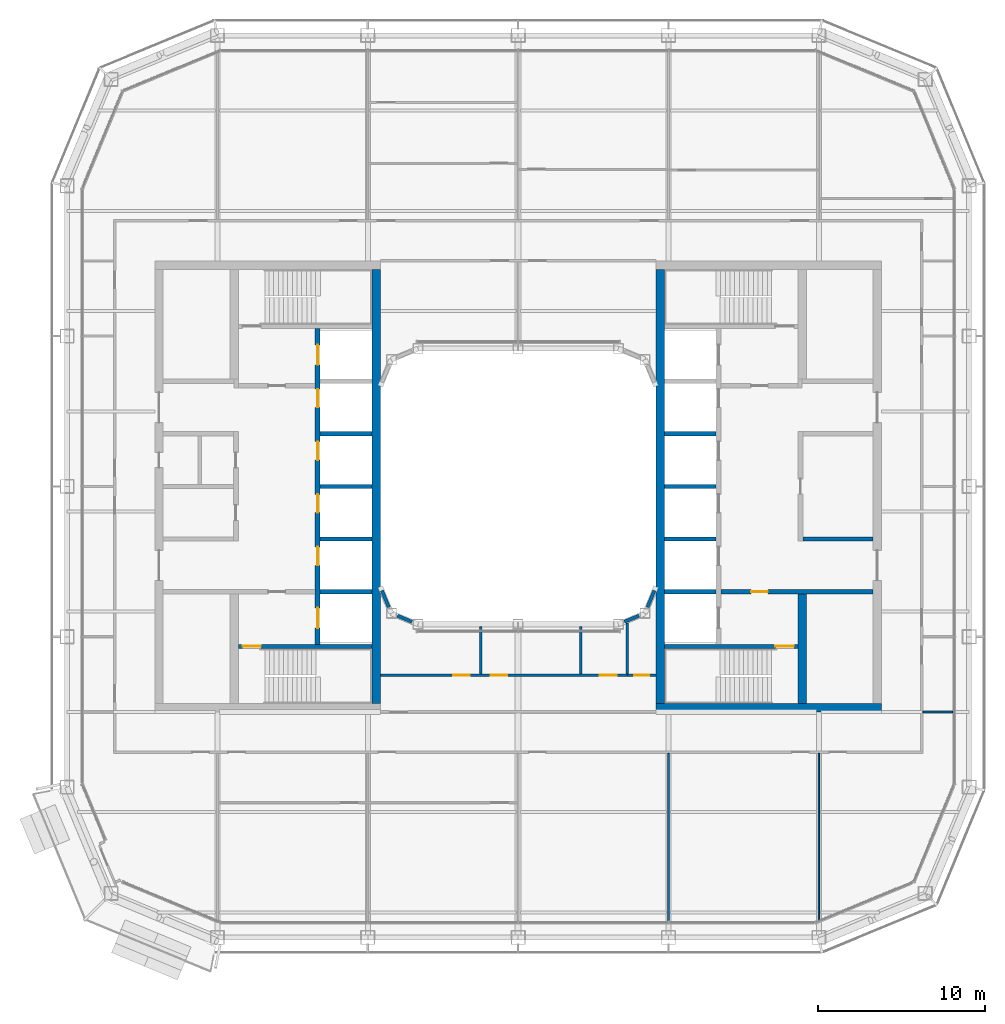
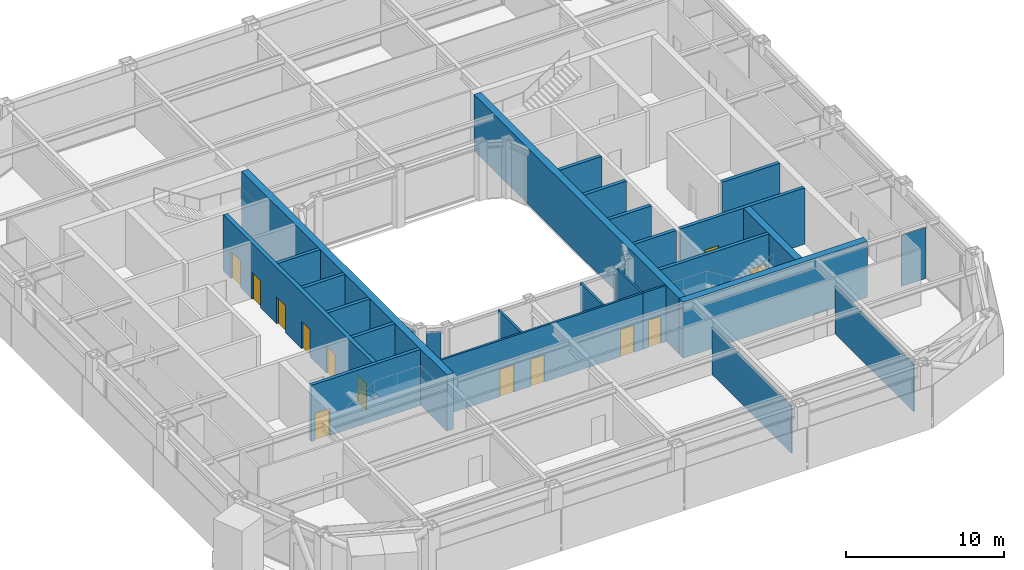
# One storey, part 14 of 24: 29 walls, 13 doors, 13 openings.
"""IFC4 building model written with IfcOpenShell, lengths in metres."""

from ifc_helpers import new_model, si_unit, direction, frame, frame_2d, origin, place, context, subcontext, project, spatial, rectangle, extrude, material, layer, layer_set, type_object, element, fill, save


model = new_model("IFC4")

# Units and contexts
model_context = context("Model", 3, precision=1e-05, world=origin(), true_north=direction((0.0, 1.0)))
body_context = subcontext(model_context, "Body", "Model", "MODEL_VIEW")
ifc_project = project(units=[si_unit("LENGTHUNIT", "METRE"), si_unit("AREAUNIT", "SQUARE_METRE"), si_unit("VOLUMEUNIT", "CUBIC_METRE"), si_unit("PLANEANGLEUNIT", "RADIAN"), si_unit("MASSUNIT", "GRAM", prefix="KILO")], contexts=[model_context])

# Site, building, storey
site_placement = place(None, origin())
site = spatial("IfcSite", under=ifc_project, at=site_placement, CompositionType="ELEMENT")
building_placement = place(site_placement, origin())
building = spatial("IfcBuilding", under=site, at=building_placement, Name="Siwar Civic Tower", CompositionType="ELEMENT")
storey_placement = place(building_placement, frame((0.0, 0.0, 215.199951171875)))
storey = spatial("IfcBuildingStorey", under=building, at=storey_placement, Name="L46", CompositionType="ELEMENT", Elevation=215.199951171875)

# Wall, opening, door
ifc_material_1 = material(Name="Gypsum board on steel studs", Category="steel")
ifc_layer_1 = layer(ifc_material_1, 0.14990234375)
ifc_layer_set_1 = layer_set([ifc_layer_1], Name="Gypsum board on steel studs")
wall_type_1 = type_object("IfcWallType", Name="COMPARTMENT PARTITION 150 EI 60", PredefinedType="PARTITIONING", material=ifc_layer_set_1)
wall_1_placement = place(storey_placement, frame((6.5400390625, -11.300048828125, 0.0), z_axis=(0.0, 0.0, 1.0), x_axis=(1.0, 0.0, 0.0)))
wall_1 = element("IfcWall", 1, at=wall_1_placement, inside=storey, type_object=wall_type_1, Name="L46/wall/P07", PredefinedType="PARTITIONING", context=body_context, shape_type="SweptSolid", body=[
    extrude(rectangle(XDim=1.7099609375, YDim=0.14990234375, at=frame_2d((0.85498046875, 0.0))), origin(), (0.0, 0.0, 1.0), 4.35009765625),
])
opening_1_placement = place(wall_1_placement, frame((0.409912109375, 0.0, 0.0)))
opening_1 = element("IfcOpeningElement", 2, at=opening_1_placement, cuts=wall_1, Name="Opening D4", PredefinedType="OPENING", context=body_context, shape_type="SweptSolid", body=[
    extrude(rectangle(XDim=0.89990234375, YDim=2.10009765625, at=frame_2d((0.449951171875, 1.050048828125))), frame((0.0, 0.0849609375, 0.0), z_axis=(0.0, -1.0, 0.0), x_axis=(1.0, 0.0, 0.0)), (0.0, 0.0, 1.0), 0.169921875),
])
ifc_material_2 = material(Name="Timber, painted", Category="wood")
door_type_1 = type_object("IfcDoorType", Name="DOOR 900 X 2100 FD60", OperationType="SINGLE_SWING_LEFT", PredefinedType="DOOR", material=ifc_material_2)
door_1_placement = place(opening_1_placement, origin())
door_1 = element("IfcDoor", 3, at=door_1_placement, inside=storey, type_object=door_type_1, Name="L46-D34", OperationType="SINGLE_SWING_RIGHT", OverallHeight=2.10009765625, OverallWidth=0.89990234375, PredefinedType="DOOR", context=body_context, shape_type="SweptSolid", body=[
    extrude(rectangle(XDim=0.89990234375, YDim=2.10009765625, at=frame_2d((0.449951171875, 1.050048828125))), frame((0.0, 0.02490234375, 0.0), z_axis=(0.0, -1.0, 0.0), x_axis=(1.0, 0.0, 0.0)), (0.0, 0.0, 1.0), 0.050048828125),
])
fill(opening_1, door_1)

# Walls
wall_2_placement = place(storey_placement, frame((6.5400390625, -11.22509765625, 0.0), z_axis=(0.0, 0.0, 1.0), x_axis=(0.0, 1.0, 0.0)))
element("IfcWall", 4, at=wall_2_placement, inside=storey, type_object=wall_type_1, Name="L46/wall/P34", PredefinedType="PARTITIONING", context=body_context, shape_type="SweptSolid", body=[
    extrude(rectangle(XDim=3.0390625, YDim=0.14990234375, at=frame_2d((1.51953125, 0.0))), origin(), (0.0, 0.0, 1.0), 4.35009765625),
])
ifc_material_3 = material(Name="Concrete C60/75", Category="concrete")
ifc_layer_2 = layer(ifc_material_3, 0.25)
ifc_layer_set_2 = layer_set([ifc_layer_2], Name="Concrete C60/75")
wall_type_2 = type_object("IfcWallType", Name="CORE-WALL-RC250", PredefinedType="SHEAR", material=ifc_layer_set_2)
for number, where, z_axis, x_axis, name in (
    (5, (-8.75, 0.0, 0.0), (0.0, 0.0, 1.0), (-1.0, 0.0, 0.0), "Core wall W"),
    (6, (-8.75, 3.14990234375, 0.0), (0.0, 0.0, 1.0), (-1.0, 0.0, 0.0), "Core wall W"),
    (7, (-8.75, -3.14990234375, 0.0), (0.0, 0.0, 1.0), (-1.0, 0.0, 0.0), "Core wall W"),
    (8, (-8.75, -6.300048828125, 0.0), (0.0, 0.0, 1.0), (-1.0, 0.0, 0.0), "Core wall W"),
):
    element("IfcWall", number, at=place(storey_placement, frame(where, z_axis=z_axis, x_axis=x_axis)), inside=storey, type_object=wall_type_2, Name=name, PredefinedType="SHEAR", context=body_context, shape_type="SweptSolid", body=[
        extrude(rectangle(XDim=3.10009765625, YDim=0.25, at=frame_2d((1.550048828125, 0.0))), origin(), (0.0, 0.0, 1.0), 4.35009765625),
    ])

# Wall, opening, door
wall_3_placement = place(storey_placement, frame((-8.75, -9.574951171875, 0.0), z_axis=(0.0, 0.0, 1.0), x_axis=(-1.0, 0.0, 0.0)))
wall_3 = element("IfcWall", 9, at=wall_3_placement, inside=storey, type_object=wall_type_2, Name="Core wall W", PredefinedType="SHEAR", context=body_context, shape_type="SweptSolid", body=[
    extrude(rectangle(XDim=8.0, YDim=0.25, at=frame_2d((4.0, 0.0))), origin(), (0.0, 0.0, 1.0), 4.35009765625),
])
opening_2_placement = place(wall_3_placement, frame((6.64990234375, 0.0, 0.0)))
opening_2 = element("IfcOpeningElement", 10, at=opening_2_placement, cuts=wall_3, Name="Opening L46-CW04", PredefinedType="OPENING", context=body_context, shape_type="SweptSolid", body=[
    extrude(rectangle(XDim=1.10009765625, YDim=2.10009765625, at=frame_2d((0.550048828125, 1.050048828125))), frame((0.0, 0.135009765625, 0.0), z_axis=(0.0, -1.0, 0.0), x_axis=(1.0, 0.0, 0.0)), (0.0, 0.0, 1.0), 0.27001953125),
])
ifc_material_4 = material(Name="Steel door leaf", Category="steel")
door_type_2 = type_object("IfcDoorType", Name="CORE-DOOR-FD60S", OperationType="SINGLE_SWING_LEFT", PredefinedType="DOOR", material=ifc_material_4)
door_2_placement = place(opening_2_placement, origin())
door_2 = element("IfcDoor", 11, at=door_2_placement, inside=storey, type_object=door_type_2, Name="Stair door L46-CW04", OperationType="SINGLE_SWING_LEFT", OverallHeight=2.10009765625, OverallWidth=1.10009765625, PredefinedType="DOOR", context=body_context, shape_type="SweptSolid", body=[
    extrude(rectangle(XDim=1.10009765625, YDim=2.10009765625, at=frame_2d((0.550048828125, 1.050048828125))), frame((0.0, 0.02490234375, 0.0), z_axis=(0.0, -1.0, 0.0), x_axis=(1.0, 0.0, 0.0)), (0.0, 0.0, 1.0), 0.050048828125),
])
fill(opening_2, door_2)

wall_4_placement = place(storey_placement, frame((12.14990234375, -6.300048828125, 0.0), z_axis=(0.0, 0.0, 1.0), x_axis=(1.0, 0.0, 0.0)))
wall_4 = element("IfcWall", 12, at=wall_4_placement, inside=storey, type_object=wall_type_2, Name="Core wall E", PredefinedType="SHEAR", context=body_context, shape_type="SweptSolid", body=[
    extrude(rectangle(XDim=9.10009765625, YDim=0.25, at=frame_2d((4.550048828125, 0.0))), origin(), (0.0, 0.0, 1.0), 4.35009765625),
])
opening_3_placement = place(wall_4_placement, frame((1.800048828125, 0.0, 0.0)))
opening_3 = element("IfcOpeningElement", 13, at=opening_3_placement, cuts=wall_4, Name="Opening L46-CE02", PredefinedType="OPENING", context=body_context, shape_type="SweptSolid", body=[
    extrude(rectangle(XDim=1.0, YDim=2.10009765625, at=frame_2d((0.5, 1.050048828125))), frame((0.0, 0.135009765625, 0.0), z_axis=(0.0, -1.0, 0.0), x_axis=(1.0, 0.0, 0.0)), (0.0, 0.0, 1.0), 0.27001953125),
])
ifc_material_5 = material(Name="Steel door leaf", Category="steel")
door_type_3 = type_object("IfcDoorType", Name="CORE-DOOR-FD30S", OperationType="SINGLE_SWING_LEFT", PredefinedType="DOOR", material=ifc_material_5)
door_3_placement = place(opening_3_placement, origin())
door_3 = element("IfcDoor", 14, at=door_3_placement, inside=storey, type_object=door_type_3, Name="Service lobby door L46-CE02", OperationType="SINGLE_SWING_LEFT", OverallHeight=2.10009765625, OverallWidth=1.0, PredefinedType="DOOR", context=body_context, shape_type="SweptSolid", body=[
    extrude(rectangle(XDim=1.0, YDim=2.10009765625, at=frame_2d((0.5, 1.050048828125))), frame((0.0, 0.02490234375, 0.0), z_axis=(0.0, -1.0, 0.0), x_axis=(1.0, 0.0, 0.0)), (0.0, 0.0, 1.0), 0.050048828125),
])
fill(opening_3, door_3)

# Walls
wall_5_placement = place(storey_placement, frame((17.050048828125, -3.14990234375, 0.0), z_axis=(0.0, 0.0, 1.0), x_axis=(1.0, 0.0, 0.0)))
element("IfcWall", 15, at=wall_5_placement, inside=storey, type_object=wall_type_2, Name="Core wall E", PredefinedType="SHEAR", context=body_context, shape_type="SweptSolid", body=[
    extrude(rectangle(XDim=4.199951171875, YDim=0.25, at=frame_2d((2.10009765625, 0.0))), origin(), (0.0, 0.0, 1.0), 4.35009765625),
])
for number, where, z_axis, x_axis, name in (
    (16, (8.75, 0.0, 0.0), (0.0, 0.0, 1.0), (1.0, 0.0, 0.0), "Core wall E"),
    (17, (8.75, 3.14990234375, 0.0), (0.0, 0.0, 1.0), (1.0, 0.0, 0.0), "Core wall E"),
    (18, (8.75, -3.14990234375, 0.0), (0.0, 0.0, 1.0), (1.0, 0.0, 0.0), "Core wall E"),
    (19, (8.75, -6.300048828125, 0.0), (0.0, 0.0, 1.0), (1.0, 0.0, 0.0), "Core wall E"),
):
    element("IfcWall", number, at=place(storey_placement, frame(where, z_axis=z_axis, x_axis=x_axis)), inside=storey, type_object=wall_type_2, Name=name, PredefinedType="SHEAR", context=body_context, shape_type="SweptSolid", body=[
        extrude(rectangle(XDim=3.10009765625, YDim=0.25, at=frame_2d((1.550048828125, 0.0))), origin(), (0.0, 0.0, 1.0), 4.35009765625),
    ])

# Wall, opening, door
wall_6_placement = place(storey_placement, frame((8.75, -9.574951171875, 0.0), z_axis=(0.0, 0.0, 1.0), x_axis=(1.0, 0.0, 0.0)))
wall_6 = element("IfcWall", 20, at=wall_6_placement, inside=storey, type_object=wall_type_2, Name="Core wall E", PredefinedType="SHEAR", context=body_context, shape_type="SweptSolid", body=[
    extrude(rectangle(XDim=8.0, YDim=0.25, at=frame_2d((4.0, 0.0))), origin(), (0.0, 0.0, 1.0), 4.35009765625),
])
opening_4_placement = place(wall_6_placement, frame((6.64990234375, 0.0, 0.0)))
opening_4 = element("IfcOpeningElement", 21, at=opening_4_placement, cuts=wall_6, Name="Opening L46-CE04", PredefinedType="OPENING", context=body_context, shape_type="SweptSolid", body=[
    extrude(rectangle(XDim=1.10009765625, YDim=2.10009765625, at=frame_2d((0.550048828125, 1.050048828125))), frame((0.0, 0.135009765625, 0.0), z_axis=(0.0, -1.0, 0.0), x_axis=(1.0, 0.0, 0.0)), (0.0, 0.0, 1.0), 0.27001953125),
])
door_4_placement = place(opening_4_placement, origin())
door_4 = element("IfcDoor", 22, at=door_4_placement, inside=storey, type_object=door_type_2, Name="Stair door L46-CE04", OperationType="SINGLE_SWING_RIGHT", OverallHeight=2.10009765625, OverallWidth=1.10009765625, PredefinedType="DOOR", context=body_context, shape_type="SweptSolid", body=[
    extrude(rectangle(XDim=1.10009765625, YDim=2.10009765625, at=frame_2d((0.550048828125, 1.050048828125))), frame((0.0, 0.02490234375, 0.0), z_axis=(0.0, -1.0, 0.0), x_axis=(1.0, 0.0, 0.0)), (0.0, 0.0, 1.0), 0.050048828125),
])
fill(opening_4, door_4)

# Wall, openings, doors
ifc_material_6 = material(Name="Concrete C60/75", Category="concrete")
ifc_layer_3 = layer(ifc_material_6, 0.300048828125)
ifc_layer_set_3 = layer_set([ifc_layer_3], Name="Concrete C60/75")
wall_type_3 = type_object("IfcWallType", Name="CORE-WALL-RC300", PredefinedType="SHEAR", material=ifc_layer_set_3)
wall_7_placement = place(storey_placement, frame((-12.0, -9.449951171875, 0.0), z_axis=(0.0, 0.0, 1.0), x_axis=(0.0, 1.0, 0.0)))
wall_7 = element("IfcWall", 23, at=wall_7_placement, inside=storey, type_object=wall_type_3, Name="Core wall W", PredefinedType="SHEAR", context=body_context, shape_type="SweptSolid", body=[
    extrude(rectangle(XDim=18.89990234375, YDim=0.300048828125, at=frame_2d((9.449951171875, 0.0))), origin(), (0.0, 0.0, 1.0), 4.35009765625),
])
opening_5_placement = place(wall_7_placement, frame((4.72509765625, 0.0, 0.0)))
opening_5 = element("IfcOpeningElement", 24, at=opening_5_placement, cuts=wall_7, Name="Opening L46-CW07", PredefinedType="OPENING", context=body_context, shape_type="SweptSolid", body=[
    extrude(rectangle(XDim=1.10009765625, YDim=2.10009765625, at=frame_2d((0.550048828125, 1.050048828125))), frame((0.0, 0.16015625, 0.0), z_axis=(0.0, -1.0, 0.0), x_axis=(1.0, 0.0, 0.0)), (0.0, 0.0, 1.0), 0.320068359375),
])
opening_6_placement = place(wall_7_placement, frame((7.875, 0.0, 0.0)))
opening_6 = element("IfcOpeningElement", 25, at=opening_6_placement, cuts=wall_7, Name="Opening L46-CW08", PredefinedType="OPENING", context=body_context, shape_type="SweptSolid", body=[
    extrude(rectangle(XDim=1.10009765625, YDim=2.10009765625, at=frame_2d((0.550048828125, 1.050048828125))), frame((0.0, 0.16015625, 0.0), z_axis=(0.0, -1.0, 0.0), x_axis=(1.0, 0.0, 0.0)), (0.0, 0.0, 1.0), 0.320068359375),
])
opening_7_placement = place(wall_7_placement, frame((11.02490234375, 0.0, 0.0)))
opening_7 = element("IfcOpeningElement", 26, at=opening_7_placement, cuts=wall_7, Name="Opening L46-CW09", PredefinedType="OPENING", context=body_context, shape_type="SweptSolid", body=[
    extrude(rectangle(XDim=1.10009765625, YDim=2.10009765625, at=frame_2d((0.550048828125, 1.050048828125))), frame((0.0, 0.16015625, 0.0), z_axis=(0.0, -1.0, 0.0), x_axis=(1.0, 0.0, 0.0)), (0.0, 0.0, 1.0), 0.320068359375),
])
opening_8_placement = place(wall_7_placement, frame((14.175048828125, 0.0, 0.0)))
opening_8 = element("IfcOpeningElement", 27, at=opening_8_placement, cuts=wall_7, Name="Opening L46-CW10", PredefinedType="OPENING", context=body_context, shape_type="SweptSolid", body=[
    extrude(rectangle(XDim=1.10009765625, YDim=2.10009765625, at=frame_2d((0.550048828125, 1.050048828125))), frame((0.0, 0.16015625, 0.0), z_axis=(0.0, -1.0, 0.0), x_axis=(1.0, 0.0, 0.0)), (0.0, 0.0, 1.0), 0.320068359375),
])
opening_9_placement = place(wall_7_placement, frame((16.72509765625, 0.0, 0.0)))
opening_9 = element("IfcOpeningElement", 28, at=opening_9_placement, cuts=wall_7, Name="Opening L46-CW11", PredefinedType="OPENING", context=body_context, shape_type="SweptSolid", body=[
    extrude(rectangle(XDim=1.199951171875, YDim=2.10009765625, at=frame_2d((0.60009765625, 1.050048828125))), frame((0.0, 0.16015625, 0.0), z_axis=(0.0, -1.0, 0.0), x_axis=(1.0, 0.0, 0.0)), (0.0, 0.0, 1.0), 0.320068359375),
])
opening_10_placement = place(wall_7_placement, frame((0.97509765625, 0.0, 0.0)))
opening_10 = element("IfcOpeningElement", 29, at=opening_10_placement, cuts=wall_7, Name="Opening L46-CW12", PredefinedType="OPENING", context=body_context, shape_type="SweptSolid", body=[
    extrude(rectangle(XDim=1.199951171875, YDim=2.10009765625, at=frame_2d((0.60009765625, 1.050048828125))), frame((0.0, 0.16015625, 0.0), z_axis=(0.0, -1.0, 0.0), x_axis=(1.0, 0.0, 0.0)), (0.0, 0.0, 1.0), 0.320068359375),
])
ifc_material_7 = material(Name="Steel door leaf", Category="steel")
door_type_4 = type_object("IfcDoorType", Name="CORE-DOOR-LD", OperationType="DOUBLE_DOOR_SLIDING", PredefinedType="DOOR", material=ifc_material_7)
door_5_placement = place(opening_5_placement, origin())
door_5 = element("IfcDoor", 30, at=door_5_placement, inside=storey, type_object=door_type_4, Name="Landing door HR1 L46-CW07", OperationType="DOUBLE_DOOR_SLIDING", OverallHeight=2.10009765625, OverallWidth=1.10009765625, PredefinedType="DOOR", context=body_context, shape_type="SweptSolid", body=[
    extrude(rectangle(XDim=1.10009765625, YDim=2.10009765625, at=frame_2d((0.550048828125, 1.050048828125))), frame((0.0, 0.02490234375, 0.0), z_axis=(0.0, -1.0, 0.0), x_axis=(1.0, 0.0, 0.0)), (0.0, 0.0, 1.0), 0.050048828125),
])
fill(opening_5, door_5)
door_6_placement = place(opening_6_placement, origin())
door_6 = element("IfcDoor", 31, at=door_6_placement, inside=storey, type_object=door_type_4, Name="Landing door HR2 L46-CW08", OperationType="DOUBLE_DOOR_SLIDING", OverallHeight=2.10009765625, OverallWidth=1.10009765625, PredefinedType="DOOR", context=body_context, shape_type="SweptSolid", body=[
    extrude(rectangle(XDim=1.10009765625, YDim=2.10009765625, at=frame_2d((0.550048828125, 1.050048828125))), frame((0.0, 0.02490234375, 0.0), z_axis=(0.0, -1.0, 0.0), x_axis=(1.0, 0.0, 0.0)), (0.0, 0.0, 1.0), 0.050048828125),
])
fill(opening_6, door_6)
door_7_placement = place(opening_7_placement, origin())
door_7 = element("IfcDoor", 32, at=door_7_placement, inside=storey, type_object=door_type_4, Name="Landing door HR3 L46-CW09", OperationType="DOUBLE_DOOR_SLIDING", OverallHeight=2.10009765625, OverallWidth=1.10009765625, PredefinedType="DOOR", context=body_context, shape_type="SweptSolid", body=[
    extrude(rectangle(XDim=1.10009765625, YDim=2.10009765625, at=frame_2d((0.550048828125, 1.050048828125))), frame((0.0, 0.02490234375, 0.0), z_axis=(0.0, -1.0, 0.0), x_axis=(1.0, 0.0, 0.0)), (0.0, 0.0, 1.0), 0.050048828125),
])
fill(opening_7, door_7)
door_8_placement = place(opening_8_placement, origin())
door_8 = element("IfcDoor", 33, at=door_8_placement, inside=storey, type_object=door_type_4, Name="Landing door HR4 L46-CW10", OperationType="DOUBLE_DOOR_SLIDING", OverallHeight=2.10009765625, OverallWidth=1.10009765625, PredefinedType="DOOR", context=body_context, shape_type="SweptSolid", body=[
    extrude(rectangle(XDim=1.10009765625, YDim=2.10009765625, at=frame_2d((0.550048828125, 1.050048828125))), frame((0.0, 0.02490234375, 0.0), z_axis=(0.0, -1.0, 0.0), x_axis=(1.0, 0.0, 0.0)), (0.0, 0.0, 1.0), 0.050048828125),
])
fill(opening_8, door_8)
ifc_material_8 = material(Name="Steel door leaf", Category="steel")
door_type_5 = type_object("IfcDoorType", Name="CORE-DOOR-LDW", OperationType="DOUBLE_DOOR_SLIDING", PredefinedType="DOOR", material=ifc_material_8)
door_9_placement = place(opening_9_placement, origin())
door_9 = element("IfcDoor", 34, at=door_9_placement, inside=storey, type_object=door_type_5, Name="Landing door FF1 L46-CW11", OperationType="DOUBLE_DOOR_SLIDING", OverallHeight=2.10009765625, OverallWidth=1.199951171875, PredefinedType="DOOR", context=body_context, shape_type="SweptSolid", body=[
    extrude(rectangle(XDim=1.199951171875, YDim=2.10009765625, at=frame_2d((0.60009765625, 1.050048828125))), frame((0.0, 0.02490234375, 0.0), z_axis=(0.0, -1.0, 0.0), x_axis=(1.0, 0.0, 0.0)), (0.0, 0.0, 1.0), 0.050048828125),
])
fill(opening_9, door_9)
door_10_placement = place(opening_10_placement, origin())
door_10 = element("IfcDoor", 35, at=door_10_placement, inside=storey, type_object=door_type_5, Name="Landing door SV1 L46-CW12", OperationType="DOUBLE_DOOR_SLIDING", OverallHeight=2.10009765625, OverallWidth=1.199951171875, PredefinedType="DOOR", context=body_context, shape_type="SweptSolid", body=[
    extrude(rectangle(XDim=1.199951171875, YDim=2.10009765625, at=frame_2d((0.60009765625, 1.050048828125))), frame((0.0, 0.02490234375, 0.0), z_axis=(0.0, -1.0, 0.0), x_axis=(1.0, 0.0, 0.0)), (0.0, 0.0, 1.0), 0.050048828125),
])
fill(opening_10, door_10)

# Walls
ifc_material_9 = material(Name="Concrete C60/75", Category="concrete")
ifc_layer_4 = layer(ifc_material_9, 0.5)
ifc_layer_set_4 = layer_set([ifc_layer_4], Name="Concrete C60/75")
wall_type_4 = type_object("IfcWallType", Name="CORE-WALL-RC500", PredefinedType="SHEAR", material=ifc_layer_set_4)
wall_8_placement = place(storey_placement, frame((17.0, -13.0, 0.0), z_axis=(0.0, 0.0, 1.0), x_axis=(0.0, 1.0, 0.0)))
element("IfcWall", 36, at=wall_8_placement, inside=storey, type_object=wall_type_4, Name="Core wall E", PredefinedType="SHEAR", context=body_context, shape_type="SweptSolid", body=[
    extrude(rectangle(XDim=6.574951171875, YDim=0.5, at=frame_2d((3.28759765625, 0.0))), origin(), (0.0, 0.0, 1.0), 4.35009765625),
])
wall_9_placement = place(storey_placement, frame((8.25, -13.25, 0.0), z_axis=(0.0, 0.0, 1.0), x_axis=(1.0, 0.0, 0.0)))
element("IfcWall", 37, at=wall_9_placement, inside=storey, type_object=wall_type_4, Name="Core wall E", PredefinedType="SHEAR", context=body_context, shape_type="SweptSolid", body=[
    extrude(rectangle(XDim=13.5, YDim=0.5, at=frame_2d((6.75, 0.0))), origin(), (0.0, 0.0, 1.0), 4.35009765625),
])
ifc_material_10 = material(Name="Concrete C60/75", Category="concrete")
ifc_layer_5 = layer(ifc_material_10, 0.5)
ifc_layer_set_5 = layer_set([ifc_layer_5], Name="Concrete C60/75")
wall_type_5 = type_object("IfcWallType", Name="CORE-WALL-RC500-EXT", PredefinedType="SHEAR", material=ifc_layer_set_5)
for number, where, z_axis, x_axis, name in (
    (38, (-8.5, -13.0, 0.0), (0.0, 0.0, 1.0), (0.0, 1.0, 0.0), "Core wall W"),
    (39, (8.5, -13.0, 0.0), (0.0, 0.0, 1.0), (0.0, 1.0, 0.0), "Core wall E"),
):
    element("IfcWall", number, at=place(storey_placement, frame(where, z_axis=z_axis, x_axis=x_axis)), inside=storey, type_object=wall_type_5, Name=name, PredefinedType="SHEAR", context=body_context, shape_type="SweptSolid", body=[
        extrude(rectangle(XDim=26.0, YDim=0.5, at=frame_2d((13.0, 0.0))), origin(), (0.0, 0.0, 1.0), 4.35009765625),
    ])

# Wall, openings, doors
ifc_material_11 = material(Name="Gypsum board on steel studs", Category="steel")
ifc_layer_6 = layer(ifc_material_11, 0.14990234375)
ifc_layer_set_6 = layer_set([ifc_layer_6], Name="Gypsum board on steel studs")
wall_type_6 = type_object("IfcWallType", Name="CORRIDOR PARTITION 150 EI 30", PredefinedType="PARTITIONING", material=ifc_layer_set_6)
wall_10_placement = place(storey_placement, frame((-8.25, -11.300048828125, 0.0), z_axis=(0.0, 0.0, 1.0), x_axis=(1.0, 0.0, 0.0)))
wall_10 = element("IfcWall", 40, at=wall_10_placement, inside=storey, type_object=wall_type_6, Name="L46/wall/P06", PredefinedType="PARTITIONING", context=body_context, shape_type="SweptSolid", body=[
    extrude(rectangle(XDim=14.7900390625, YDim=0.14990234375, at=frame_2d((7.39501953125, 0.0))), origin(), (0.0, 0.0, 1.0), 4.35009765625),
])
opening_11_placement = place(wall_10_placement, frame((4.35009765625, 0.0, 0.0)))
opening_11 = element("IfcOpeningElement", 41, at=opening_11_placement, cuts=wall_10, Name="Opening D3", PredefinedType="OPENING", context=body_context, shape_type="SweptSolid", body=[
    extrude(rectangle(XDim=1.0, YDim=2.10009765625, at=frame_2d((0.5, 1.050048828125))), frame((0.0, 0.0849609375, 0.0), z_axis=(0.0, -1.0, 0.0), x_axis=(1.0, 0.0, 0.0)), (0.0, 0.0, 1.0), 0.169921875),
])
opening_12_placement = place(wall_10_placement, frame((6.60009765625, 0.0, 0.0)))
opening_12 = element("IfcOpeningElement", 42, at=opening_12_placement, cuts=wall_10, Name="Opening D3", PredefinedType="OPENING", context=body_context, shape_type="SweptSolid", body=[
    extrude(rectangle(XDim=1.0, YDim=2.10009765625, at=frame_2d((0.5, 1.050048828125))), frame((0.0, 0.0849609375, 0.0), z_axis=(0.0, -1.0, 0.0), x_axis=(1.0, 0.0, 0.0)), (0.0, 0.0, 1.0), 0.169921875),
])
opening_13_placement = place(wall_10_placement, frame((13.139892578125, 0.0, 0.0)))
opening_13 = element("IfcOpeningElement", 43, at=opening_13_placement, cuts=wall_10, Name="Opening D3", PredefinedType="OPENING", context=body_context, shape_type="SweptSolid", body=[
    extrude(rectangle(XDim=1.0, YDim=2.10009765625, at=frame_2d((0.5, 1.050048828125))), frame((0.0, 0.0849609375, 0.0), z_axis=(0.0, -1.0, 0.0), x_axis=(1.0, 0.0, 0.0)), (0.0, 0.0, 1.0), 0.169921875),
])
ifc_material_12 = material(Name="Timber, painted", Category="wood")
door_type_6 = type_object("IfcDoorType", Name="DOOR 1000 X 2100 WC", OperationType="SINGLE_SWING_LEFT", PredefinedType="DOOR", material=ifc_material_12)
door_11_placement = place(opening_11_placement, origin())
door_11 = element("IfcDoor", 44, at=door_11_placement, inside=storey, type_object=door_type_6, Name="L46-D31", OperationType="SINGLE_SWING_LEFT", OverallHeight=2.10009765625, OverallWidth=1.0, PredefinedType="DOOR", context=body_context, shape_type="SweptSolid", body=[
    extrude(rectangle(XDim=1.0, YDim=2.10009765625, at=frame_2d((0.5, 1.050048828125))), frame((0.0, 0.02490234375, 0.0), z_axis=(0.0, -1.0, 0.0), x_axis=(1.0, 0.0, 0.0)), (0.0, 0.0, 1.0), 0.050048828125),
])
fill(opening_11, door_11)
door_12_placement = place(opening_12_placement, origin())
door_12 = element("IfcDoor", 45, at=door_12_placement, inside=storey, type_object=door_type_6, Name="L46-D32", OperationType="SINGLE_SWING_RIGHT", OverallHeight=2.10009765625, OverallWidth=1.0, PredefinedType="DOOR", context=body_context, shape_type="SweptSolid", body=[
    extrude(rectangle(XDim=1.0, YDim=2.10009765625, at=frame_2d((0.5, 1.050048828125))), frame((0.0, 0.02490234375, 0.0), z_axis=(0.0, -1.0, 0.0), x_axis=(1.0, 0.0, 0.0)), (0.0, 0.0, 1.0), 0.050048828125),
])
fill(opening_12, door_12)
door_13_placement = place(opening_13_placement, origin())
door_13 = element("IfcDoor", 46, at=door_13_placement, inside=storey, type_object=door_type_6, Name="L46-D33", OperationType="SINGLE_SWING_LEFT", OverallHeight=2.10009765625, OverallWidth=1.0, PredefinedType="DOOR", context=body_context, shape_type="SweptSolid", body=[
    extrude(rectangle(XDim=1.0, YDim=2.10009765625, at=frame_2d((0.5, 1.050048828125))), frame((0.0, 0.02490234375, 0.0), z_axis=(0.0, -1.0, 0.0), x_axis=(1.0, 0.0, 0.0)), (0.0, 0.0, 1.0), 0.050048828125),
])
fill(opening_13, door_13)

# Walls
for number, where, z_axis, x_axis, name in (
    (47, (-2.25, -11.22509765625, 0.0), (0.0, 0.0, 1.0), (0.0, 1.0, 0.0), "L46/wall/P29"),
    (48, (3.75, -11.22509765625, 0.0), (0.0, 0.0, 1.0), (0.0, 1.0, 0.0), "L46/wall/P33"),
):
    element("IfcWall", number, at=place(storey_placement, frame(where, z_axis=z_axis, x_axis=x_axis)), inside=storey, type_object=wall_type_6, Name=name, PredefinedType="PARTITIONING", context=body_context, shape_type="SweptSolid", body=[
        extrude(rectangle(XDim=2.85498046875, YDim=0.14990234375, at=frame_2d((1.427490234375, 0.0))), origin(), (0.0, 0.0, 1.0), 4.35009765625),
    ])
ifc_material_13 = material(Name="Aluminium clad insulated panel", Category="aluminium")
ifc_layer_7 = layer(ifc_material_13, 0.199951171875)
ifc_layer_set_7 = layer_set([ifc_layer_7], Name="Aluminium clad insulated panel")
wall_type_7 = type_object("IfcWallType", Name="ENV-WALL-WELL", PredefinedType="STANDARD", material=ifc_layer_set_7)
wall_11_placement = place(storey_placement, frame((6.362060546875, -8.10009765625, 0.0), z_axis=(0.0, 0.0, 1.0), x_axis=(0.923829670615, 0.382803787458, 0.0)))
element("IfcWall", 49, at=wall_11_placement, inside=storey, type_object=wall_type_7, Name="Light well corner wall SE1", PredefinedType="STANDARD", context=body_context, shape_type="SweptSolid", body=[
    extrude(rectangle(XDim=0.938232421875, YDim=0.199951171875, at=frame_2d((0.46923828125, 0.0))), origin(), (0.0, 0.0, 1.0), 3.91796875),
])
for number, where, z_axis, x_axis, name in (
    (50, (7.740966796875, -7.228759765625, 0.0), (0.0, 0.0, 1.0), (0.382704496366, 0.923870807235, 0.0), "Light well corner wall SE2"),
    (51, (-8.154296875, -6.23095703125, 0.0), (0.0, 0.0, 1.0), (0.382704496366, -0.923870807235, 0.0), "Light well corner wall SW1"),
):
    element("IfcWall", number, at=place(storey_placement, frame(where, z_axis=z_axis, x_axis=x_axis)), inside=storey, type_object=wall_type_7, Name=name, PredefinedType="STANDARD", context=body_context, shape_type="SweptSolid", body=[
        extrude(rectangle(XDim=1.080078125, YDim=0.199951171875, at=frame_2d((0.5400390625, 0.0))), origin(), (0.0, 0.0, 1.0), 3.91796875),
    ])
wall_12_placement = place(storey_placement, frame((-7.228759765625, -7.740966796875, 0.0), z_axis=(0.0, 0.0, 1.0), x_axis=(0.923829670615, -0.382803787458, 0.0)))
element("IfcWall", 52, at=wall_12_placement, inside=storey, type_object=wall_type_7, Name="Light well corner wall SW2", PredefinedType="STANDARD", context=body_context, shape_type="SweptSolid", body=[
    extrude(rectangle(XDim=0.938232421875, YDim=0.199951171875, at=frame_2d((0.46923828125, 0.0))), origin(), (0.0, 0.0, 1.0), 3.91796875),
])
ifc_material_14 = material(Name="Gypsum board on steel studs", Category="steel")
ifc_layer_8 = layer(ifc_material_14, 0.10009765625)
ifc_layer_set_8 = layer_set([ifc_layer_8], Name="Gypsum board on steel studs")
wall_type_8 = type_object("IfcWallType", Name="PARTITION 100 GYPSUM", PredefinedType="PARTITIONING", material=ifc_layer_set_8)
wall_13_placement = place(storey_placement, frame((24.22509765625, -13.5, 0.0), z_axis=(0.0, 0.0, 1.0), x_axis=(1.0, 0.0, 0.0)))
element("IfcWall", 53, at=wall_13_placement, inside=storey, type_object=wall_type_8, Name="L46/wall/P04", PredefinedType="PARTITIONING", context=body_context, shape_type="SweptSolid", body=[
    extrude(rectangle(XDim=1.784912109375, YDim=0.10009765625, at=frame_2d((0.892578125, 0.0))), origin(), (0.0, 0.0, 1.0), 3.949951171875),
])
wall_14_placement = place(storey_placement, frame((9.0, -26.010009765625, 0.0), z_axis=(0.0, 0.0, 1.0), x_axis=(0.0, 1.0, 0.0)))
element("IfcWall", 54, at=wall_14_placement, inside=storey, type_object=wall_type_8, Name="L46/wall/P35", PredefinedType="PARTITIONING", context=body_context, shape_type="SweptSolid", body=[
    extrude(rectangle(XDim=10.034912109375, YDim=0.10009765625, at=frame_2d((5.017578125, 0.0))), origin(), (0.0, 0.0, 1.0), 3.650146484375),
])
wall_15_placement = place(storey_placement, frame((18.0, -25.927978515625, 0.0), z_axis=(0.0, 0.0, 1.0), x_axis=(0.0, 1.0, 0.0)))
element("IfcWall", 55, at=wall_15_placement, inside=storey, type_object=wall_type_8, Name="L46/wall/P37", PredefinedType="PARTITIONING", context=body_context, shape_type="SweptSolid", body=[
    extrude(rectangle(XDim=9.952880859375, YDim=0.10009765625, at=frame_2d((4.9765625, 0.0))), origin(), (0.0, 0.0, 1.0), 3.650146484375),
])

save(model, "model.ifc")
